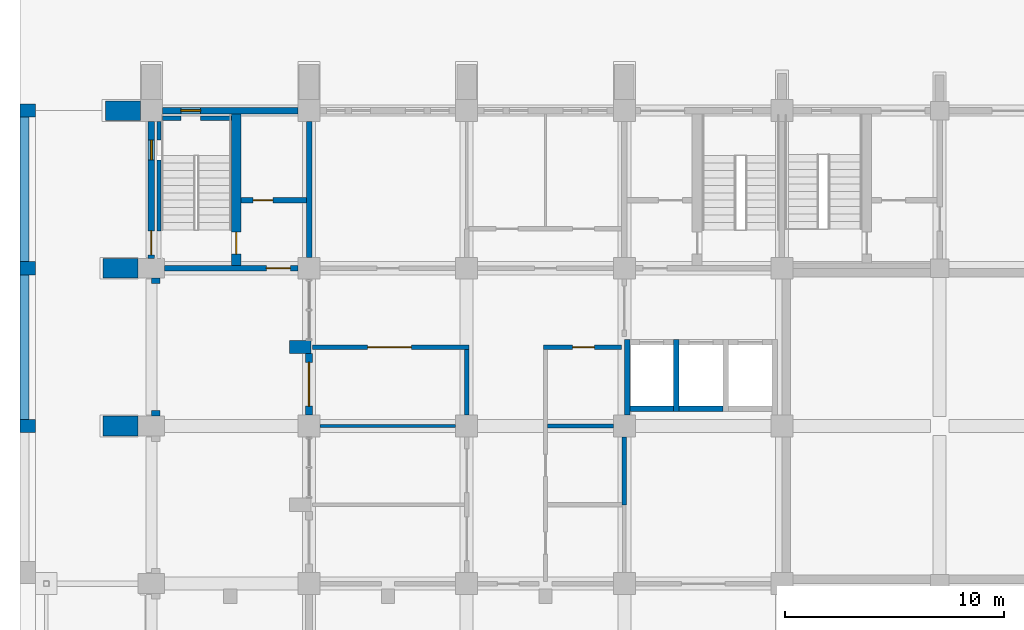
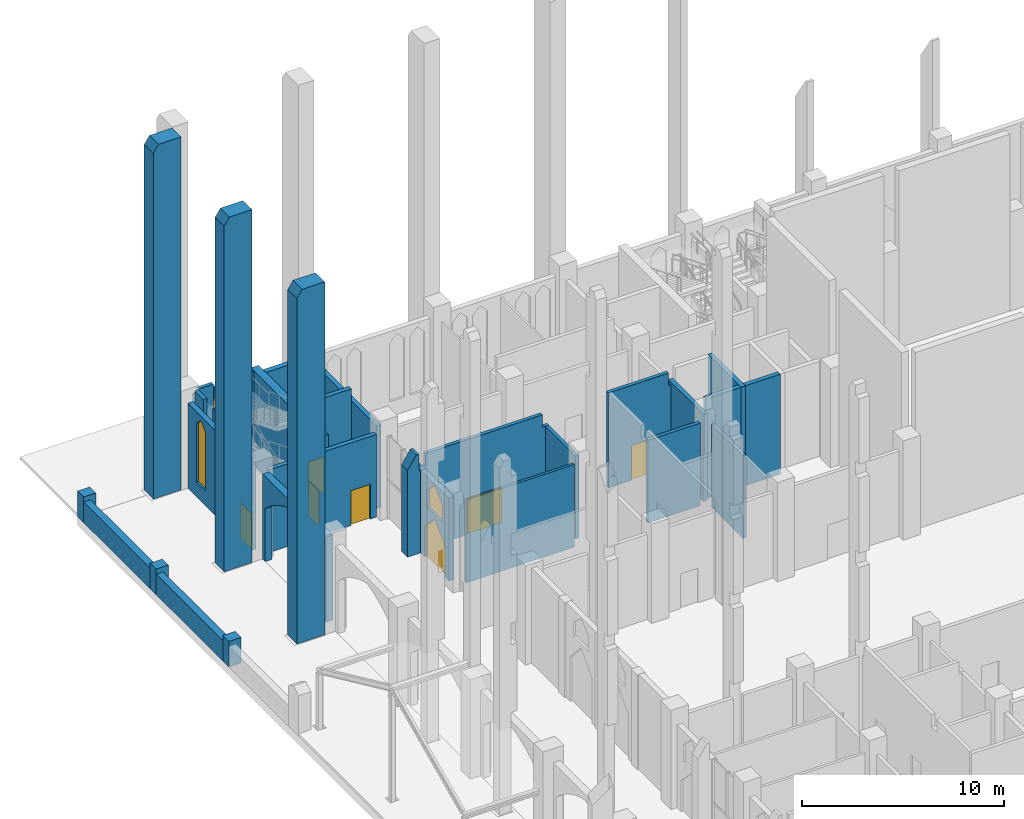
# One storey, part 33 of 50: 31 walls, 7 doors, 3 windows, 10 openings.
"""IFC4 building model written with IfcOpenShell, lengths in metres."""

from ifc_helpers import new_model, si_unit, direction, frame, frame_2d, origin, place, context, subcontext, project, spatial, polyline, rectangle, outline, extrude, material, layer, layer_set, type_object, element, fill, save


model = new_model("IFC4")

# Units and contexts
model_context = context("Model", 3, precision=1e-05, world=origin(), true_north=direction((0.0, 1.0)))
body_context = subcontext(model_context, "Body", "Model", "MODEL_VIEW")
ifc_project = project(units=[si_unit("LENGTHUNIT", "METRE"), si_unit("AREAUNIT", "SQUARE_METRE"), si_unit("VOLUMEUNIT", "CUBIC_METRE"), si_unit("PLANEANGLEUNIT", "RADIAN"), si_unit("MASSUNIT", "GRAM", prefix="KILO")], contexts=[model_context])

# Site, building, storey
site_placement = place(None, origin())
site = spatial("IfcSite", under=ifc_project, at=site_placement, CompositionType="ELEMENT")
building_placement = place(site_placement, origin())
building = spatial("IfcBuilding", under=site, at=building_placement, Name="Silangan Lancet Faculty of Sciences", CompositionType="ELEMENT")
storey_placement = place(building_placement, origin())
storey = spatial("IfcBuildingStorey", under=building, at=storey_placement, Name="L00", CompositionType="ELEMENT", Elevation=0.0)

# Wall, openings, window, door
ifc_material_1 = material(Name="Concrete C40/50 precast", Category="concrete")
ifc_layer_1 = layer(ifc_material_1, 0.300048828125)
ifc_layer_set_1 = layer_set([ifc_layer_1], Name="Concrete C40/50 precast")
wall_type_1 = type_object("IfcWallType", Name="EW1 Precast cladding wall", PredefinedType="STANDARD", material=ifc_layer_set_1)
wall_1_placement = place(storey_placement, frame((7.199951171875, 43.699951171875, 0.0), z_axis=(0.0, 0.0, 1.0), x_axis=(0.0, 1.0, 0.0)))
wall_1 = element("IfcWall", 1, at=wall_1_placement, inside=storey, type_object=wall_type_1, Name="EW-L00-SHOP-W-N-m02", PredefinedType="STANDARD", context=body_context, shape_type="SweptSolid", body=[
    extrude(rectangle(XDim=2.800048828125, YDim=0.300048828125, at=frame_2d((1.39990234375, 0.0))), origin(), (0.0, 0.0, 1.0), 5.0),
])
opening_1_placement = place(wall_1_placement, frame((0.39990234375, 0.0, 0.0)))
opening_1 = element("IfcOpeningElement", 2, at=opening_1_placement, cuts=wall_1, Name="Opening L00-921", PredefinedType="OPENING", context=body_context, shape_type="SweptSolid", body=[
    extrude(outline(polyline([(0.0, 0.0), (2.0, 0.0), (2.0, 1.89990234375), (1.0, 2.89990234375), (0.0, 1.89990234375), (0.0, 0.0)])), frame((0.0, 0.159912109375, 0.0), z_axis=(0.0, -1.0, 0.0), x_axis=(1.0, 0.0, 0.0)), (0.0, 0.0, 1.0), 0.320068359375),
])
opening_2_placement = place(wall_1_placement, frame((0.64990234375, 0.0, 3.14990234375)))
opening_2 = element("IfcOpeningElement", 3, at=opening_2_placement, cuts=wall_1, Name="Opening W1", PredefinedType="OPENING", context=body_context, shape_type="SweptSolid", body=[
    extrude(outline(polyline([(0.0, 0.0), (1.5, 0.0), (1.5, 1.050048828125), (0.75, 1.800048828125), (0.0, 1.050048828125), (0.0, 0.0)])), frame((0.0, 0.159912109375, 0.0), z_axis=(0.0, -1.0, 0.0), x_axis=(1.0, 0.0, 0.0)), (0.0, 0.0, 1.0), 0.320068359375),
])
ifc_material_2 = material(Name="Aluminium frame, laminated double glazing", Category="aluminium")
window_type_1 = type_object("IfcWindowType", Name="W1 Lancet window 1500 x 1800 on a 3150 sill", PartitioningType="SINGLE_PANEL", PredefinedType="WINDOW", material=ifc_material_2)
window_1_placement = place(opening_2_placement, origin())
window_1 = element("IfcWindow", 4, at=window_1_placement, inside=storey, type_object=window_type_1, Name="WIN-L00-SHOP-W-N-m02", OverallHeight=1.800048828125, OverallWidth=1.5, PartitioningType="SINGLE_PANEL", PredefinedType="WINDOW", context=body_context, shape_type="SweptSolid", body=[
    extrude(outline(polyline([(0.0, 0.0), (1.5, 0.0), (1.5, 1.050048828125), (0.75, 1.800048828125), (0.0, 1.050048828125), (0.0, 0.0)])), frame((0.0, 0.030029296875, 0.0), z_axis=(0.0, -1.0, 0.0), x_axis=(1.0, 0.0, 0.0)), (0.0, 0.0, 1.0), 0.06005859375),
])
fill(opening_2, window_1)
ifc_material_3 = material(Name="Aluminium frame, laminated glazing", Category="aluminium")
door_type_1 = type_object("IfcDoorType", Name="XD7 Entrance door pair 2000 x 2900", OperationType="DOUBLE_DOOR_SINGLE_SWING", PredefinedType="DOOR", material=ifc_material_3)
door_1_placement = place(opening_1_placement, origin())
door_1 = element("IfcDoor", 5, at=door_1_placement, inside=storey, type_object=door_type_1, Name="DOOR-L00-921", OperationType="DOUBLE_DOOR_SINGLE_SWING", OverallHeight=2.89990234375, OverallWidth=2.0, PredefinedType="DOOR", context=body_context, shape_type="SweptSolid", body=[
    extrude(outline(polyline([(0.0, 0.0), (2.0, 0.0), (2.0, 1.89990234375), (1.0, 2.89990234375), (0.0, 1.89990234375), (0.0, 0.0)])), frame((0.0, 0.02490234375, 0.0), z_axis=(0.0, -1.0, 0.0), x_axis=(1.0, 0.0, 0.0)), (0.0, 0.0, 1.0), 0.050048828125),
])
fill(opening_1, door_1)

# Walls
ifc_material_4 = material(Name="Concrete C40/50", Category="concrete")
ifc_layer_2 = layer(ifc_material_4, 0.39990234375)
ifc_layer_set_2 = layer_set([ifc_layer_2], Name="Concrete C40/50")
wall_type_2 = type_object("IfcWallType", Name="EW11 Forecourt stone wall 400", PredefinedType="STANDARD", material=ifc_layer_set_2)
for number, where, z_axis, x_axis, name in (
    (6, (-5.800048828125, 43.5, -0.14990234375), (0.0, 0.0, 1.0), (0.0, 1.0, 0.0), "BWF-06"),
    (7, (-5.800048828125, 50.699951171875, -0.14990234375), (0.0, 0.0, 1.0), (0.0, 1.0, 0.0), "BWF-07"),
):
    element("IfcWall", number, at=place(storey_placement, frame(where, z_axis=z_axis, x_axis=x_axis)), inside=storey, type_object=wall_type_2, Name=name, PredefinedType="STANDARD", context=body_context, shape_type="SweptSolid", body=[
        extrude(rectangle(XDim=6.60009765625, YDim=0.39990234375, at=frame_2d((3.300048828125, 0.0))), origin(), (0.0, 0.0, 1.0), 1.25),
    ])
ifc_material_5 = material(Name="Concrete C40/50", Category="concrete")
ifc_layer_3 = layer(ifc_material_5, 0.699951171875)
ifc_layer_set_3 = layer_set([ifc_layer_3], Name="Concrete C40/50")
wall_type_3 = type_object("IfcWallType", Name="EW12 Forecourt wall pier 700 x 600", PredefinedType="STANDARD", material=ifc_layer_set_3)
wall_2_placement = place(storey_placement, frame((-5.64990234375, 42.89990234375, -0.14990234375), z_axis=(0.0, 0.0, 1.0), x_axis=(0.0, 1.0, 0.0)))
element("IfcWall", 8, at=wall_2_placement, inside=storey, type_object=wall_type_3, Name="BPF-04", PredefinedType="STANDARD", context=body_context, shape_type="SweptSolid", body=[
    extrude(rectangle(XDim=0.60009765625, YDim=0.699951171875, at=frame_2d((0.300048828125, 0.0))), origin(), (0.0, 0.0, 1.0), 1.5498046875),
])
for number, where, z_axis, x_axis, name in (
    (9, (-5.64990234375, 50.10009765625, -0.14990234375), (0.0, 0.0, 1.0), (0.0, 1.0, 0.0), "BPF-05"),
    (10, (-5.64990234375, 57.300048828125, -0.14990234375), (0.0, 0.0, 1.0), (0.0, 1.0, 0.0), "BPF-06"),
):
    element("IfcWall", number, at=place(storey_placement, frame(where, z_axis=z_axis, x_axis=x_axis)), inside=storey, type_object=wall_type_3, Name=name, PredefinedType="STANDARD", context=body_context, shape_type="SweptSolid", body=[
        extrude(rectangle(XDim=0.599853515625, YDim=0.699951171875, at=frame_2d((0.2998046875, 0.0))), origin(), (0.0, 0.0, 1.0), 1.5498046875),
    ])

# Wall, openings, window, door
ifc_material_6 = material(Name="Concrete C40/50 precast", Category="concrete")
ifc_layer_4 = layer(ifc_material_6, 0.300048828125)
ifc_layer_set_4 = layer_set([ifc_layer_4], Name="Concrete C40/50 precast")
wall_type_4 = type_object("IfcWallType", Name="EW2 Turret enclosure wall", PredefinedType="STANDARD", material=ifc_layer_set_4)
wall_3_placement = place(storey_placement, frame((0.0, 50.85009765625, 0.0), z_axis=(0.0, 0.0, 1.0), x_axis=(0.0, 1.0, 0.0)))
wall_3 = element("IfcWall", 11, at=wall_3_placement, inside=storey, type_object=wall_type_4, Name="EW-L00-W-NT-02", PredefinedType="STANDARD", context=body_context, shape_type="SweptSolid", body=[
    extrude(rectangle(XDim=6.25, YDim=0.300048828125, at=frame_2d((3.125, 0.0))), origin(), (0.0, 0.0, 1.0), 5.14990234375),
])
opening_3_placement = place(wall_3_placement, frame((0.159912109375, 0.0, 0.0)))
opening_3 = element("IfcOpeningElement", 12, at=opening_3_placement, cuts=wall_3, Name="Opening L00-902", PredefinedType="OPENING", context=body_context, shape_type="SweptSolid", body=[
    extrude(rectangle(XDim=1.10009765625, YDim=2.10009765625, at=frame_2d((0.550048828125, 1.050048828125))), frame((0.0, 0.159912109375, 0.0), z_axis=(0.0, -1.0, 0.0), x_axis=(1.0, 0.0, 0.0)), (0.0, 0.0, 1.0), 0.320068359375),
])
opening_4_placement = place(wall_3_placement, frame((4.5, 0.0, 0.89990234375)))
opening_4 = element("IfcOpeningElement", 13, at=opening_4_placement, cuts=wall_3, Name="Opening W2", PredefinedType="OPENING", context=body_context, shape_type="SweptSolid", body=[
    extrude(outline(polyline([(0.0, 0.0), (0.89990234375, 0.0), (0.89990234375, 3.550048828125), (0.449951171875, 4.0), (0.0, 3.550048828125), (0.0, 0.0)])), frame((0.0, 0.159912109375, 0.0), z_axis=(0.0, -1.0, 0.0), x_axis=(1.0, 0.0, 0.0)), (0.0, 0.0, 1.0), 0.320068359375),
])
ifc_material_7 = material(Name="Aluminium frame, laminated double glazing", Category="aluminium")
window_type_2 = type_object("IfcWindowType", Name="W2 Lancet window 900 x 4000", PartitioningType="SINGLE_PANEL", PredefinedType="WINDOW", material=ifc_material_7)
window_2_placement = place(opening_4_placement, origin())
window_2 = element("IfcWindow", 14, at=window_2_placement, inside=storey, type_object=window_type_2, Name="WIN-L00-W-NT-02b", OverallHeight=4.0, OverallWidth=0.89990234375, PartitioningType="SINGLE_PANEL", PredefinedType="WINDOW", context=body_context, shape_type="SweptSolid", body=[
    extrude(outline(polyline([(0.0, 0.0), (0.89990234375, 0.0), (0.89990234375, 3.550048828125), (0.449951171875, 4.0), (0.0, 3.550048828125), (0.0, 0.0)])), frame((0.0, 0.030029296875, 0.0), z_axis=(0.0, -1.0, 0.0), x_axis=(1.0, 0.0, 0.0)), (0.0, 0.0, 1.0), 0.06005859375),
])
fill(opening_4, window_2)
ifc_material_8 = material(Name="Steel hollow-metal, fire rated", Category="steel")
door_type_2 = type_object("IfcDoorType", Name="XD1 Stair discharge door 1100 x 2100", OperationType="SINGLE_SWING_LEFT", PredefinedType="DOOR", material=ifc_material_8)
door_2_placement = place(opening_3_placement, origin())
door_2 = element("IfcDoor", 15, at=door_2_placement, inside=storey, type_object=door_type_2, Name="DOOR-L00-902", OperationType="SINGLE_SWING_LEFT", OverallHeight=2.10009765625, OverallWidth=1.10009765625, PredefinedType="DOOR", context=body_context, shape_type="SweptSolid", body=[
    extrude(rectangle(XDim=1.10009765625, YDim=2.10009765625, at=frame_2d((0.550048828125, 1.050048828125))), frame((0.0, 0.02490234375, 0.0), z_axis=(0.0, -1.0, 0.0), x_axis=(1.0, 0.0, 0.0)), (0.0, 0.0, 1.0), 0.050048828125),
])
fill(opening_3, door_2)

# Wall, opening, window
wall_4_placement = place(storey_placement, frame((6.699951171875, 57.60009765625, 0.0), z_axis=(0.0, 0.0, 1.0), x_axis=(-1.0, 0.0, 0.0)))
wall_4 = element("IfcWall", 16, at=wall_4_placement, inside=storey, type_object=wall_type_4, Name="EW-L00-N-NT-03", PredefinedType="STANDARD", context=body_context, shape_type="SweptSolid", body=[
    extrude(rectangle(XDim=6.199951171875, YDim=0.300048828125, at=frame_2d((3.10009765625, 0.0))), origin(), (0.0, 0.0, 1.0), 5.14990234375),
])
opening_5_placement = place(wall_4_placement, frame((4.449951171875, 0.0, 0.89990234375)))
opening_5 = element("IfcOpeningElement", 17, at=opening_5_placement, cuts=wall_4, Name="Opening W2", PredefinedType="OPENING", context=body_context, shape_type="SweptSolid", body=[
    extrude(outline(polyline([(0.0, 0.0), (0.89990234375, 0.0), (0.89990234375, 3.550048828125), (0.449951171875, 4.0), (0.0, 3.550048828125), (0.0, 0.0)])), frame((0.0, 0.159912109375, 0.0), z_axis=(0.0, -1.0, 0.0), x_axis=(1.0, 0.0, 0.0)), (0.0, 0.0, 1.0), 0.320068359375),
])
window_3_placement = place(opening_5_placement, origin())
window_3 = element("IfcWindow", 18, at=window_3_placement, inside=storey, type_object=window_type_2, Name="WIN-L00-N-NT-03b", OverallHeight=4.0, OverallWidth=0.89990234375, PartitioningType="SINGLE_PANEL", PredefinedType="WINDOW", context=body_context, shape_type="SweptSolid", body=[
    extrude(outline(polyline([(0.0, 0.0), (0.89990234375, 0.0), (0.89990234375, 3.550048828125), (0.449951171875, 4.0), (0.0, 3.550048828125), (0.0, 0.0)])), frame((0.0, 0.030029296875, 0.0), z_axis=(0.0, -1.0, 0.0), x_axis=(1.0, 0.0, 0.0)), (0.0, 0.0, 1.0), 0.06005859375),
])
fill(opening_5, window_3)

# Walls
ifc_material_9 = material(Name="Concrete C40/50 precast", Category="concrete")
ifc_layer_5 = layer(ifc_material_9, 0.39990234375)
ifc_layer_set_5 = layer_set([ifc_layer_5], Name="Concrete C40/50 precast")
wall_type_5 = type_object("IfcWallType", Name="EW5 Arcade spandrel arch", PredefinedType="POLYGONAL", material=ifc_layer_set_5)
wall_5_placement = place(storey_placement, frame((0.199951171875, 43.64990234375, 0.0), z_axis=(0.0, 0.0, 1.0), x_axis=(0.0, 1.0, 0.0)))
element("IfcWall", 19, at=wall_5_placement, inside=storey, type_object=wall_type_5, Name="ARC-L00-06", PredefinedType="POLYGONAL", context=body_context, shape_type="SweptSolid", body=[
    extrude(outline(polyline([(0.0, 0.0), (0.25, 0.0), (0.25, 3.199951171875), (0.492431640625, 3.4326171875), (0.747802734375, 3.650634765625), (1.015380859375, 3.853515625), (1.294189453125, 4.040771484375), (1.583251953125, 4.21142578125), (1.882080078125, 4.364990234375), (2.18896484375, 4.501220703125), (2.50341796875, 4.619384765625), (2.82421875, 4.718994140625), (3.14990234375, 4.800048828125), (3.475830078125, 4.718994140625), (3.796630859375, 4.619384765625), (4.111083984375, 4.501220703125), (4.41796875, 4.364990234375), (4.716796875, 4.21142578125), (5.005859375, 4.040771484375), (5.28466796875, 3.853515625), (5.55224609375, 3.650634765625), (5.8076171875, 3.4326171875), (6.050048828125, 3.199951171875), (6.050048828125, 0.0), (6.300048828125, 0.0), (6.300048828125, 5.14990234375), (0.0, 5.14990234375), (0.0, 0.0)])), frame((0.0, 0.199951171875, 0.0), z_axis=(0.0, -1.0, 0.0), x_axis=(1.0, 0.0, 0.0)), (0.0, 0.0, 1.0), 0.39990234375),
])
ifc_material_10 = material(Name="Concrete C40/50 precast", Category="concrete")
ifc_layer_6 = layer(ifc_material_10, 0.89990234375)
ifc_layer_set_6 = layer_set([ifc_layer_6], Name="Concrete C40/50 precast")
wall_type_6 = type_object("IfcWallType", Name="FN25 Buttress Fin column line stage 1 21350", PredefinedType="POLYGONAL", material=ifc_layer_set_6)
for number, where, z_axis, x_axis, name in (
    (20, (-0.60009765625, 43.199951171875, 0.0), (0.0, 0.0, 1.0), (-1.0, 0.0, 0.0), "FINC-W-NT-01"),
    (21, (-0.60009765625, 50.39990234375, 0.0), (0.0, 0.0, 1.0), (-1.0, 0.0, 0.0), "FINC-W-NT-02"),
):
    element("IfcWall", number, at=place(storey_placement, frame(where, z_axis=z_axis, x_axis=x_axis)), inside=storey, type_object=wall_type_6, Name=name, PredefinedType="POLYGONAL", context=body_context, shape_type="SweptSolid", body=[
        extrude(outline(polyline([(1.60009765625, 0.0), (1.60009765625, 20.89990234375), (1.300048828125, 21.35009765625), (0.0, 21.35009765625), (0.0, 0.0), (1.60009765625, 0.0)])), frame((0.0, 0.449951171875, 0.0), z_axis=(0.0, -1.0, 0.0), x_axis=(1.0, 0.0, 0.0)), (0.0, 0.0, 1.0), 0.89990234375),
    ])
ifc_material_11 = material(Name="Concrete C40/50 precast", Category="concrete")
ifc_layer_7 = layer(ifc_material_11, 0.89990234375)
ifc_layer_set_7 = layer_set([ifc_layer_7], Name="Concrete C40/50 precast")
wall_type_7 = type_object("IfcWallType", Name="FN28 Buttress Fin column line stage 1 21350", PredefinedType="POLYGONAL", material=ifc_layer_set_7)
wall_6_placement = place(storey_placement, frame((-0.5, 57.60009765625, 0.0), z_axis=(0.0, 0.0, 1.0), x_axis=(-1.0, 0.0, 0.0)))
element("IfcWall", 22, at=wall_6_placement, inside=storey, type_object=wall_type_7, Name="FINC-W-NT-03", PredefinedType="POLYGONAL", context=body_context, shape_type="SweptSolid", body=[
    extrude(outline(polyline([(1.60009765625, 0.0), (1.60009765625, 20.89990234375), (1.300048828125, 21.35009765625), (0.0, 21.35009765625), (0.0, 0.0), (1.60009765625, 0.0)])), frame((0.0, 0.449951171875, 0.0), z_axis=(0.0, -1.0, 0.0), x_axis=(1.0, 0.0, 0.0)), (0.0, 0.0, 1.0), 0.89990234375),
])
ifc_material_12 = material(Name="Concrete C40/50 precast", Category="concrete")
ifc_layer_8 = layer(ifc_material_12, 0.60009765625)
ifc_layer_set_8 = layer_set([ifc_layer_8], Name="Concrete C40/50 precast")
wall_type_8 = type_object("IfcWallType", Name="FN9 Buttress Fin mid-bay stage 1 6000", PredefinedType="POLYGONAL", material=ifc_layer_set_8)
wall_7_placement = place(storey_placement, frame((7.300048828125, 46.800048828125, 0.0), z_axis=(0.0, 0.0, 1.0), x_axis=(-1.0, 0.0, 0.0)))
element("IfcWall", 23, at=wall_7_placement, inside=storey, type_object=wall_type_8, Name="FIN-SHOP-W-N-3", PredefinedType="POLYGONAL", context=body_context, shape_type="SweptSolid", body=[
    extrude(outline(polyline([(1.0, 0.0), (1.0, 5.25), (0.5, 6.0), (0.35009765625, 6.0), (0.35009765625, 5.0), (0.0, 5.0), (0.0, 0.0), (1.0, 0.0)])), frame((0.0, 0.300048828125, 0.0), z_axis=(0.0, -1.0, 0.0), x_axis=(1.0, 0.0, 0.0)), (0.0, 0.0, 1.0), 0.60009765625),
])

# Wall, opening, door
ifc_material_13 = material(Name="Hollow block masonry fm 7 MPa", Category="masonry")
ifc_layer_9 = layer(ifc_material_13, 0.199951171875)
ifc_layer_set_9 = layer_set([ifc_layer_9], Name="Hollow block masonry fm 7 MPa")
wall_type_9 = type_object("IfcWallType", Name="Interior wall PW1 Corridor wall CHB 200", PredefinedType="PARTITIONING", material=ifc_layer_set_9)
wall_8_placement = place(storey_placement, frame((7.35009765625, 46.800048828125, 0.0), z_axis=(0.0, 0.0, 1.0), x_axis=(1.0, 0.0, 0.0)))
wall_8 = element("IfcWall", 24, at=wall_8_placement, inside=storey, type_object=wall_type_9, Name="Corridor wall CHB 200", PredefinedType="PARTITIONING", context=body_context, shape_type="SweptSolid", body=[
    extrude(outline(polyline([(0.0, 0.0), (7.14990234375, 0.0), (7.14990234375, 5.0), (6.7998046875, 5.0), (6.7998046875, 5.75), (0.099853515625, 5.75), (0.099853515625, 5.0), (0.0, 5.0), (0.0, 0.0)])), frame((0.0, 0.10009765625, 0.0), z_axis=(0.0, -1.0, 0.0), x_axis=(1.0, 0.0, 0.0)), (0.0, 0.0, 1.0), 0.199951171875),
])
opening_6_placement = place(wall_8_placement, frame((2.52490234375, 0.0, 0.0)))
opening_6 = element("IfcOpeningElement", 25, at=opening_6_placement, cuts=wall_8, Name="Opening L00-050", PredefinedType="OPENING", context=body_context, shape_type="SweptSolid", body=[
    extrude(rectangle(XDim=2.0, YDim=2.10009765625, at=frame_2d((1.0, 1.050048828125))), frame((0.0, 0.10986328125, 0.0), z_axis=(0.0, -1.0, 0.0), x_axis=(1.0, 0.0, 0.0)), (0.0, 0.0, 1.0), 0.219970703125),
])
ifc_material_14 = material(Name="Steel fire door set", Category="steel")
door_type_3 = type_object("IfcDoorType", Name="Door D4 Double leaf fire door 2000 x 2100", OperationType="DOUBLE_DOOR_SINGLE_SWING", PredefinedType="DOOR", material=ifc_material_14)
door_3_placement = place(opening_6_placement, origin())
door_3 = element("IfcDoor", 26, at=door_3_placement, inside=storey, type_object=door_type_3, Name="Double leaf fire door 2000 x 2100", OperationType="DOUBLE_DOOR_SINGLE_SWING", OverallHeight=2.10009765625, OverallWidth=2.0, PredefinedType="DOOR", context=body_context, shape_type="SweptSolid", body=[
    extrude(rectangle(XDim=2.0, YDim=2.10009765625, at=frame_2d((1.0, 1.050048828125))), frame((0.0, 0.02490234375, 0.0), z_axis=(0.0, -1.0, 0.0), x_axis=(1.0, 0.0, 0.0)), (0.0, 0.0, 1.0), 0.050048828125),
])
fill(opening_6, door_3)

wall_9_placement = place(storey_placement, frame((17.89990234375, 46.800048828125, 0.0), z_axis=(0.0, 0.0, 1.0), x_axis=(1.0, 0.0, 0.0)))
wall_9 = element("IfcWall", 27, at=wall_9_placement, inside=storey, type_object=wall_type_9, Name="Corridor wall CHB 200", PredefinedType="PARTITIONING", context=body_context, shape_type="SweptSolid", body=[
    extrude(outline(polyline([(0.0, 0.0), (3.5751953125, 0.0), (3.5751953125, 5.0), (3.4501953125, 5.0), (3.4501953125, 5.75), (0.0, 5.75), (0.0, 0.0)])), frame((0.0, 0.10009765625, 0.0), z_axis=(0.0, -1.0, 0.0), x_axis=(1.0, 0.0, 0.0)), (0.0, 0.0, 1.0), 0.199951171875),
])
opening_7_placement = place(wall_9_placement, frame((1.337646484375, 0.0, 0.0)))
opening_7 = element("IfcOpeningElement", 28, at=opening_7_placement, cuts=wall_9, Name="Opening L00-047", PredefinedType="OPENING", context=body_context, shape_type="SweptSolid", body=[
    extrude(rectangle(XDim=1.0, YDim=2.10009765625, at=frame_2d((0.5, 1.050048828125))), frame((0.0, 0.10986328125, 0.0), z_axis=(0.0, -1.0, 0.0), x_axis=(1.0, 0.0, 0.0)), (0.0, 0.0, 1.0), 0.219970703125),
])
ifc_material_15 = material(Name="Steel fire door set", Category="steel")
door_type_4 = type_object("IfcDoorType", Name="Door D1 Single leaf fire door 1000 x 2100", OperationType="SINGLE_SWING_LEFT", PredefinedType="DOOR", material=ifc_material_15)
door_4_placement = place(opening_7_placement, frame((1.0, 0.0, 0.0), z_axis=(0.0, 0.0, 1.0), x_axis=(-1.0, 0.0, 0.0)))
door_4 = element("IfcDoor", 29, at=door_4_placement, inside=storey, type_object=door_type_4, Name="Single leaf fire door 1000 x 2100", OperationType="SINGLE_SWING_LEFT", OverallHeight=2.10009765625, OverallWidth=1.0, PredefinedType="DOOR", context=body_context, shape_type="SweptSolid", body=[
    extrude(rectangle(XDim=1.0, YDim=2.10009765625, at=frame_2d((0.5, 1.050048828125))), frame((0.0, 0.025146484375, 0.0), z_axis=(0.0, -1.0, 0.0), x_axis=(1.0, 0.0, 0.0)), (0.0, 0.0, 1.0), 0.050048828125),
])
fill(opening_7, door_4)

# Walls
wall_10_placement = place(storey_placement, frame((14.39990234375, 43.699951171875, 0.0), z_axis=(0.0, 0.0, 1.0), x_axis=(0.0, 1.0, 0.0)))
element("IfcWall", 30, at=wall_10_placement, inside=storey, type_object=wall_type_9, Name="Corridor wall CHB 200", PredefinedType="PARTITIONING", context=body_context, shape_type="SweptSolid", body=[
    extrude(rectangle(XDim=3.0, YDim=0.199951171875, at=frame_2d((1.5, 0.0))), origin(), (0.0, 0.0, 1.0), 5.0),
])
ifc_material_16 = material(Name="Hollow block masonry fm 7 MPa", Category="masonry")
ifc_layer_10 = layer(ifc_material_16, 0.14990234375)
ifc_layer_set_10 = layer_set([ifc_layer_10], Name="Hollow block masonry fm 7 MPa")
wall_type_10 = type_object("IfcWallType", Name="Interior wall PW3 Partition CHB 150", PredefinedType="PARTITIONING", material=ifc_layer_set_10)
wall_11_placement = place(storey_placement, frame((7.699951171875, 43.199951171875, 0.0), z_axis=(0.0, 0.0, 1.0), x_axis=(1.0, 0.0, 0.0)))
element("IfcWall", 31, at=wall_11_placement, inside=storey, type_object=wall_type_10, Name="Partition CHB 150", PredefinedType="PARTITIONING", context=body_context, shape_type="SweptSolid", body=[
    extrude(rectangle(XDim=6.199951171875, YDim=0.14990234375, at=frame_2d((3.10009765625, 0.0))), origin(), (0.0, 0.0, 1.0), 5.0),
])
ifc_material_17 = material(Name="Hollow block masonry fm 7 MPa", Category="masonry")
ifc_layer_11 = layer(ifc_material_17, 0.199951171875)
ifc_layer_set_11 = layer_set([ifc_layer_11], Name="Hollow block masonry fm 7 MPa")
wall_type_11 = type_object("IfcWallType", Name="Interior wall PW4 Laboratory separation CHB 200", PredefinedType="PARTITIONING", material=ifc_layer_set_11)
wall_12_placement = place(storey_placement, frame((18.10009765625, 43.199951171875, 0.0), z_axis=(0.0, 0.0, 1.0), x_axis=(1.0, 0.0, 0.0)))
element("IfcWall", 32, at=wall_12_placement, inside=storey, type_object=wall_type_11, Name="Laboratory separation CHB 200", PredefinedType="PARTITIONING", context=body_context, shape_type="SweptSolid", body=[
    extrude(rectangle(XDim=3.0, YDim=0.199951171875, at=frame_2d((1.5, 0.0))), origin(), (0.0, 0.0, 1.0), 5.0),
])
wall_13_placement = place(storey_placement, frame((21.60009765625, 39.60009765625, 0.0), z_axis=(0.0, 0.0, 1.0), x_axis=(0.0, 1.0, 0.0)))
element("IfcWall", 33, at=wall_13_placement, inside=storey, type_object=wall_type_11, Name="Laboratory separation CHB 200", PredefinedType="PARTITIONING", context=body_context, shape_type="SweptSolid", body=[
    extrude(rectangle(XDim=3.099853515625, YDim=0.199951171875, at=frame_2d((1.5498046875, 0.0))), origin(), (0.0, 0.0, 1.0), 5.0),
])
ifc_material_18 = material(Name="Concrete C40/50", Category="concrete")
ifc_layer_12 = layer(ifc_material_18, 0.25)
ifc_layer_set_12 = layer_set([ifc_layer_12], Name="Concrete C40/50")
wall_type_12 = type_object("IfcWallType", Name="LIFT SHAFT WALL RC 250", PredefinedType="SHEAR", material=ifc_layer_set_12)
wall_14_placement = place(storey_placement, frame((21.72509765625, 43.699951171875, -0.300048828125), z_axis=(0.0, 0.0, 1.0), x_axis=(0.0, 1.0, 0.0)))
element("IfcWall", 34, at=wall_14_placement, inside=storey, type_object=wall_type_12, Name="WALL-L00-NT-SW1", PredefinedType="SHEAR", context=body_context, shape_type="SweptSolid", body=[
    extrude(rectangle(XDim=3.449951171875, YDim=0.25, at=frame_2d((1.72509765625, 0.0))), origin(), (0.0, 0.0, 1.0), 5.300048828125),
])
wall_15_placement = place(storey_placement, frame((23.97509765625, 43.85009765625, -0.300048828125), z_axis=(0.0, 0.0, 1.0), x_axis=(0.0, 1.0, 0.0)))
element("IfcWall", 35, at=wall_15_placement, inside=storey, type_object=wall_type_12, Name="WALL-L00-NT-SW2", PredefinedType="SHEAR", context=body_context, shape_type="SweptSolid", body=[
    extrude(rectangle(XDim=3.2998046875, YDim=0.25, at=frame_2d((1.64990234375, 0.0))), origin(), (0.0, 0.0, 1.0), 6.050048828125),
])
for number, where, z_axis, x_axis, name in (
    (36, (21.85009765625, 43.97509765625, -0.300048828125), (0.0, 0.0, 1.0), (1.0, 0.0, 0.0), "WALL-L00-NT-L1-B"),
    (37, (24.10009765625, 43.97509765625, -0.300048828125), (0.0, 0.0, 1.0), (1.0, 0.0, 0.0), "WALL-L00-NT-L2-B"),
):
    element("IfcWall", number, at=place(storey_placement, frame(where, z_axis=z_axis, x_axis=x_axis)), inside=storey, type_object=wall_type_12, Name=name, PredefinedType="SHEAR", context=body_context, shape_type="SweptSolid", body=[
        extrude(rectangle(XDim=2.0, YDim=0.25, at=frame_2d((1.0, 0.0))), origin(), (0.0, 0.0, 1.0), 6.050048828125),
    ])

# Wall, opening, door
ifc_material_19 = material(Name="Concrete C40/50", Category="concrete")
ifc_layer_13 = layer(ifc_material_19, 0.449951171875)
ifc_layer_set_13 = layer_set([ifc_layer_13], Name="Concrete C40/50")
wall_type_13 = type_object("IfcWallType", Name="TURRET CORE WALL RC 450", PredefinedType="SHEAR", material=ifc_layer_set_13)
wall_16_placement = place(storey_placement, frame((3.875, 50.52490234375, 0.0), z_axis=(0.0, 0.0, 1.0), x_axis=(0.0, 1.0, 0.0)))
wall_16 = element("IfcWall", 38, at=wall_16_placement, inside=storey, type_object=wall_type_13, Name="WALL-L00-NT-A-WELL", PredefinedType="SHEAR", context=body_context, shape_type="SweptSolid", body=[
    extrude(rectangle(XDim=6.925048828125, YDim=0.449951171875, at=frame_2d((3.46240234375, 0.0))), origin(), (0.0, 0.0, 1.0), 5.75),
])
opening_8_placement = place(wall_16_placement, frame((0.52490234375, 0.0, 0.0)))
opening_8 = element("IfcOpeningElement", 39, at=opening_8_placement, cuts=wall_16, Name="Opening L00-713", PredefinedType="OPENING", context=body_context, shape_type="SweptSolid", body=[
    extrude(rectangle(XDim=1.0, YDim=2.10009765625, at=frame_2d((0.5, 1.050048828125))), frame((0.0, 0.23486328125, 0.0), z_axis=(0.0, -1.0, 0.0), x_axis=(1.0, 0.0, 0.0)), (0.0, 0.0, 1.0), 0.469970703125),
])
ifc_material_20 = material(Name="Steel fire door set", Category="steel")
door_type_5 = type_object("IfcDoorType", Name="D71 Stair enclosure door 1000x2100", OperationType="SINGLE_SWING_LEFT", PredefinedType="DOOR", material=ifc_material_20)
door_5_placement = place(opening_8_placement, origin())
door_5 = element("IfcDoor", 40, at=door_5_placement, inside=storey, type_object=door_type_5, Name="Stair enclosure door NT-A L00", OperationType="SINGLE_SWING_LEFT", OverallHeight=2.10009765625, OverallWidth=1.0, PredefinedType="DOOR", context=body_context, shape_type="SweptSolid", body=[
    extrude(rectangle(XDim=1.0, YDim=2.10009765625, at=frame_2d((0.5, 1.050048828125))), frame((0.0, 0.02490234375, 0.0), z_axis=(0.0, -1.0, 0.0), x_axis=(1.0, 0.0, 0.0)), (0.0, 0.0, 1.0), 0.050048828125),
])
fill(opening_8, door_5)

# Walls
ifc_material_21 = material(Name="Concrete C40/50", Category="concrete")
ifc_layer_14 = layer(ifc_material_21, 0.199951171875)
ifc_layer_set_14 = layer_set([ifc_layer_14], Name="Concrete C40/50")
wall_type_14 = type_object("IfcWallType", Name="TURRET LINING WALL RC 200", PredefinedType="SHEAR", material=ifc_layer_set_14)
wall_17_placement = place(storey_placement, frame((0.35009765625, 52.110107421875, -0.300048828125), z_axis=(0.0, 0.0, 1.0), x_axis=(0.0, 1.0, 0.0)))
element("IfcWall", 41, at=wall_17_placement, inside=storey, type_object=wall_type_14, Name="WALL-L00-NT-A-WL", PredefinedType="SHEAR", context=body_context, shape_type="SweptSolid", body=[
    extrude(rectangle(XDim=3.239990234375, YDim=0.199951171875, at=frame_2d((1.6201171875, 0.0))), origin(), (0.0, 0.0, 1.0), 6.050048828125),
])
for number, where, z_axis, x_axis, name in (
    (42, (0.35009765625, 56.25, -0.300048828125), (0.0, 0.0, 1.0), (0.0, 1.0, 0.0), "WALL-L00-NT-A-WL-2"),
    (43, (0.5, 57.25, -0.300048828125), (0.0, 0.0, 1.0), (1.0, 0.0, 0.0), "WALL-L00-NT-A-WLD"),
):
    element("IfcWall", number, at=place(storey_placement, frame(where, z_axis=z_axis, x_axis=x_axis)), inside=storey, type_object=wall_type_14, Name=name, PredefinedType="SHEAR", context=body_context, shape_type="SweptSolid", body=[
        extrude(rectangle(XDim=0.85009765625, YDim=0.199951171875, at=frame_2d((0.425048828125, 0.0))), origin(), (0.0, 0.0, 1.0), 6.050048828125),
    ])
wall_18_placement = place(storey_placement, frame((2.25, 57.25, -0.300048828125), z_axis=(0.0, 0.0, 1.0), x_axis=(1.0, 0.0, 0.0)))
element("IfcWall", 44, at=wall_18_placement, inside=storey, type_object=wall_type_14, Name="WALL-L00-NT-A-WLD-2", PredefinedType="SHEAR", context=body_context, shape_type="SweptSolid", body=[
    extrude(rectangle(XDim=1.39990234375, YDim=0.199951171875, at=frame_2d((0.699951171875, 0.0))), origin(), (0.0, 0.0, 1.0), 6.050048828125),
])

# Wall, opening, door
ifc_material_22 = material(Name="Concrete C40/50", Category="concrete")
ifc_layer_15 = layer(ifc_material_22, 0.25)
ifc_layer_set_15 = layer_set([ifc_layer_15], Name="Concrete C40/50")
wall_type_15 = type_object("IfcWallType", Name="TURRET WALL RC 250", PredefinedType="SHEAR", material=ifc_layer_set_15)
wall_19_placement = place(storey_placement, frame((0.60009765625, 50.39990234375, 0.0), z_axis=(0.0, 0.0, 1.0), x_axis=(1.0, 0.0, 0.0)))
wall_19 = element("IfcWall", 45, at=wall_19_placement, inside=storey, type_object=wall_type_15, Name="WALL-L00-NT-A-V", PredefinedType="SHEAR", context=body_context, shape_type="SweptSolid", body=[
    extrude(rectangle(XDim=6.099853515625, YDim=0.25, at=frame_2d((3.0498046875, 0.0))), origin(), (0.0, 0.0, 1.0), 5.0),
])
opening_9_placement = place(wall_19_placement, frame((4.64990234375, 0.0, 0.0)))
opening_9 = element("IfcOpeningElement", 46, at=opening_9_placement, cuts=wall_19, Name="Opening L00-714", PredefinedType="OPENING", context=body_context, shape_type="SweptSolid", body=[
    extrude(rectangle(XDim=1.10009765625, YDim=2.10009765625, at=frame_2d((0.550048828125, 1.050048828125))), frame((0.0, 0.135009765625, 0.0), z_axis=(0.0, -1.0, 0.0), x_axis=(1.0, 0.0, 0.0)), (0.0, 0.0, 1.0), 0.27001953125),
])
ifc_material_23 = material(Name="Steel fire door set", Category="steel")
door_type_6 = type_object("IfcDoorType", Name="D70 Stair vestibule door 1100x2100", OperationType="SINGLE_SWING_LEFT", PredefinedType="DOOR", material=ifc_material_23)
door_6_placement = place(opening_9_placement, frame((1.10009765625, 0.0, 0.0), z_axis=(0.0, 0.0, 1.0), x_axis=(-1.0, 0.0, 0.0)))
door_6 = element("IfcDoor", 47, at=door_6_placement, inside=storey, type_object=door_type_6, Name="Stair vestibule door NT-A L00", OperationType="SINGLE_SWING_LEFT", OverallHeight=2.10009765625, OverallWidth=1.10009765625, PredefinedType="DOOR", context=body_context, shape_type="SweptSolid", body=[
    extrude(rectangle(XDim=1.10009765625, YDim=2.10009765625, at=frame_2d((0.550048828125, 1.050048828125))), frame((0.0, 0.025146484375, 0.0), z_axis=(0.0, -1.0, 0.0), x_axis=(1.0, 0.0, 0.0)), (0.0, 0.0, 1.0), 0.050048828125),
])
fill(opening_9, door_6)

# Wall
wall_20_placement = place(storey_placement, frame((7.199951171875, 50.89990234375, 0.0), z_axis=(0.0, 0.0, 1.0), x_axis=(0.0, 1.0, 0.0)))
element("IfcWall", 48, at=wall_20_placement, inside=storey, type_object=wall_type_15, Name="WALL-L00-NT-A-O", PredefinedType="SHEAR", context=body_context, shape_type="SweptSolid", body=[
    extrude(rectangle(XDim=6.2001953125, YDim=0.25, at=frame_2d((3.10009765625, 0.0))), origin(), (0.0, 0.0, 1.0), 5.0),
])

# Wall, opening, door
wall_21_placement = place(storey_placement, frame((4.10009765625, 53.5, 0.0), z_axis=(0.0, 0.0, 1.0), x_axis=(1.0, 0.0, 0.0)))
wall_21 = element("IfcWall", 49, at=wall_21_placement, inside=storey, type_object=wall_type_15, Name="WALL-L00-NT-A-RISER", PredefinedType="SHEAR", context=body_context, shape_type="SweptSolid", body=[
    extrude(rectangle(XDim=2.974853515625, YDim=0.25, at=frame_2d((1.4873046875, 0.0))), origin(), (0.0, 0.0, 1.0), 5.75),
])
opening_10_placement = place(wall_21_placement, frame((0.550048828125, 0.0, 0.0)))
opening_10 = element("IfcOpeningElement", 50, at=opening_10_placement, cuts=wall_21, Name="Opening L00-715", PredefinedType="OPENING", context=body_context, shape_type="SweptSolid", body=[
    extrude(rectangle(XDim=0.89990234375, YDim=2.10009765625, at=frame_2d((0.449951171875, 1.050048828125))), frame((0.0, 0.135009765625, 0.0), z_axis=(0.0, -1.0, 0.0), x_axis=(1.0, 0.0, 0.0)), (0.0, 0.0, 1.0), 0.27001953125),
])
ifc_material_24 = material(Name="Steel fire door set", Category="steel")
door_type_7 = type_object("IfcDoorType", Name="D72 Riser access door 900x2100", OperationType="SINGLE_SWING_LEFT", PredefinedType="DOOR", material=ifc_material_24)
door_7_placement = place(opening_10_placement, origin())
door_7 = element("IfcDoor", 51, at=door_7_placement, inside=storey, type_object=door_type_7, Name="Riser access door NT-A L00", OperationType="SINGLE_SWING_RIGHT", OverallHeight=2.10009765625, OverallWidth=0.89990234375, PredefinedType="DOOR", context=body_context, shape_type="SweptSolid", body=[
    extrude(rectangle(XDim=0.89990234375, YDim=2.10009765625, at=frame_2d((0.449951171875, 1.050048828125))), frame((0.0, 0.02490234375, 0.0), z_axis=(0.0, -1.0, 0.0), x_axis=(1.0, 0.0, 0.0)), (0.0, 0.0, 1.0), 0.050048828125),
])
fill(opening_10, door_7)

save(model, "model.ifc")
